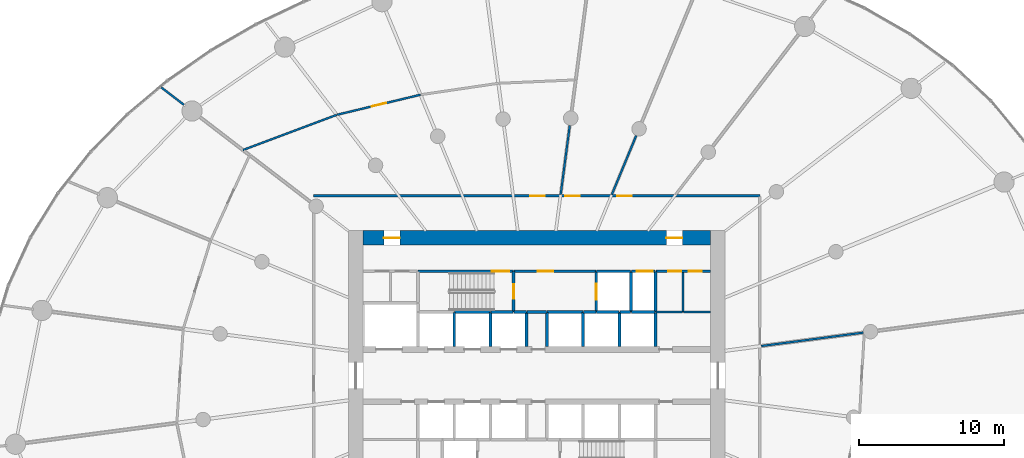
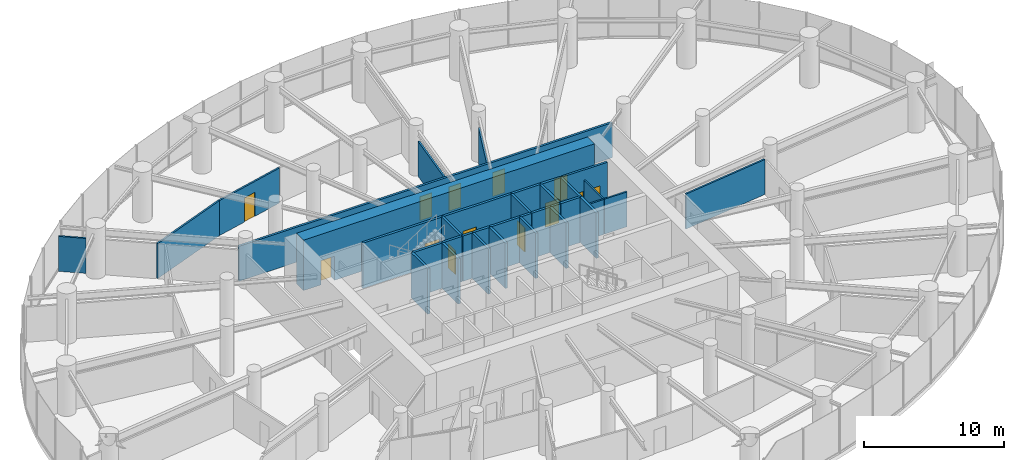
# One storey, part 15 of 19: 36 walls, 13 doors, 13 openings.
"""IFC4 building model written with IfcOpenShell, lengths in metres."""

from ifc_helpers import new_model, si_unit, direction, frame, frame_2d, origin, place, context, subcontext, project, spatial, rectangle, extrude, source, transform, mapped, material, layer, layer_set, type_object, element, fill, save


model = new_model("IFC4")

# Units and contexts
model_context = context("Model", 3, precision=1e-05, world=origin(), true_north=direction((0.0, 1.0)))
body_context = subcontext(model_context, "Body", "Model", "MODEL_VIEW")
ifc_project = project(units=[si_unit("LENGTHUNIT", "METRE"), si_unit("AREAUNIT", "SQUARE_METRE"), si_unit("VOLUMEUNIT", "CUBIC_METRE"), si_unit("PLANEANGLEUNIT", "RADIAN"), si_unit("MASSUNIT", "GRAM", prefix="KILO")], contexts=[model_context])

# Site, building, storey
site_placement = place(None, origin())
site = spatial("IfcSite", under=ifc_project, at=site_placement, CompositionType="ELEMENT")
building_placement = place(site_placement, origin())
building = spatial("IfcBuilding", under=site, at=building_placement, Name="Spindrift Exchange Tower", CompositionType="ELEMENT")
storey_placement = place(building_placement, frame((0.0, 0.0, 44.60009765625)))
storey = spatial("IfcBuildingStorey", under=building, at=storey_placement, Name="L10", CompositionType="ELEMENT", Elevation=44.60009765625)

# Wall, openings, doors
ifc_material_1 = material(Name="Concrete 80 MPa", Category="concrete")
ifc_layer_1 = layer(ifc_material_1, 1.0)
ifc_layer_set_1 = layer_set([ifc_layer_1], Name="RC Core Wall 1000 Concrete 80 MPa")
wall_type_1 = type_object("IfcWallType", Name="RC Core Wall 1000 Concrete 80 MPa", PredefinedType="SHEAR", material=ifc_layer_set_1)
wall_1_placement = place(storey_placement, frame((64.0, 57.5, 0.0), z_axis=(0.0, 0.0, 1.0), x_axis=(-1.0, 0.0, 0.0)))
wall_1 = element("IfcWall", 1, at=wall_1_placement, inside=storey, type_object=wall_type_1, Name="Core wall N L10", PredefinedType="SHEAR", context=body_context, shape_type="SweptSolid", body=[
    extrude(rectangle(XDim=24.0, YDim=1.0, at=frame_2d((12.0, 0.0))), origin(), (0.0, 0.0, 1.0), 4.39990234375),
])
opening_1_placement = place(wall_1_placement, frame((21.449951171875, 0.0, 0.0)))
opening_1 = element("IfcOpeningElement", 2, at=opening_1_placement, cuts=wall_1, Name="Opening L10-D20", PredefinedType="OPENING", context=body_context, shape_type="SweptSolid", body=[
    extrude(rectangle(XDim=1.10009765625, YDim=2.10009765625, at=frame_2d((0.550048828125, 1.050048828125))), frame((0.0, 0.510009765625, 0.0), z_axis=(0.0, -1.0, 0.0), x_axis=(1.0, 0.0, 0.0)), (0.0, 0.0, 1.0), 1.02001953125),
])
opening_2_placement = place(wall_1_placement, frame((1.949951171875, 0.0, 0.0)))
opening_2 = element("IfcOpeningElement", 3, at=opening_2_placement, cuts=wall_1, Name="Opening L10-D21", PredefinedType="OPENING", context=body_context, shape_type="SweptSolid", body=[
    extrude(rectangle(XDim=1.10009765625, YDim=2.10009765625, at=frame_2d((0.550048828125, 1.050048828125))), frame((0.0, 0.510009765625, 0.0), z_axis=(0.0, -1.0, 0.0), x_axis=(1.0, 0.0, 0.0)), (0.0, 0.0, 1.0), 1.02001953125),
])
ifc_material_2 = material(Name="Steel fire door", Category="steel")
door_type_1 = type_object("IfcDoorType", Name="DR-STAIR-1100", OperationType="NOTDEFINED", PredefinedType="DOOR", material=ifc_material_2)
shared_shape_1 = source(origin(), body_context, "Body", "SweptSolid", [
    extrude(rectangle(XDim=1.10009765625, YDim=2.10009765625, at=frame_2d((0.550048828125, 1.050048828125))), frame((0.0, 0.02490234375, 0.0), z_axis=(0.0, -1.0, 0.0), x_axis=(1.0, 0.0, 0.0)), (0.0, 0.0, 1.0), 0.050048828125),
])
door_1_placement = place(opening_1_placement, origin())
door_1 = element("IfcDoor", 4, at=door_1_placement, inside=storey, type_object=door_type_1, Name="L10 Stair door 20", OperationType="SINGLE_SWING_LEFT", OverallHeight=2.10009765625, OverallWidth=1.10009765625, PredefinedType="DOOR", context=body_context, shape_type="MappedRepresentation", body=[
    mapped(shared_shape_1, transform((0.0, 0.0, 0.0), scale=1.0)),
])
fill(opening_1, door_1)
door_2_placement = place(opening_2_placement, origin())
door_2 = element("IfcDoor", 5, at=door_2_placement, inside=storey, type_object=door_type_1, Name="L10 Stair door 21", OperationType="SINGLE_SWING_RIGHT", OverallHeight=2.10009765625, OverallWidth=1.10009765625, PredefinedType="DOOR", context=body_context, shape_type="MappedRepresentation", body=[
    mapped(shared_shape_1, transform((0.0, 0.0, 0.0), scale=1.0)),
])
fill(opening_2, door_2)

ifc_material_3 = material(Name="Fire-rated plasterboard partition", Category="gypsum")
ifc_layer_2 = layer(ifc_material_3, 0.179931640625)
ifc_layer_set_2 = layer_set([ifc_layer_2], Name="W-CORR-180")
wall_type_2 = type_object("IfcWallType", Name="W-CORR-180", PredefinedType="PARTITIONING", material=ifc_layer_set_2)
wall_2_placement = place(storey_placement, frame((63.97998046875, 55.199951171875, 0.0), z_axis=(0.0, 0.0, 1.0), x_axis=(-1.0, 0.0, 0.0)))
wall_2 = element("IfcWall", 6, at=wall_2_placement, inside=storey, type_object=wall_type_2, Name="L10 Partition wall 64", PredefinedType="PARTITIONING", context=body_context, shape_type="SweptSolid", body=[
    extrude(rectangle(XDim=3.75, YDim=0.179931640625, at=frame_2d((1.875, 0.0))), origin(), (0.0, 0.0, 1.0), 3.949951171875),
])
opening_3_placement = place(wall_2_placement, frame((2.0, 0.0, 0.0)))
opening_3 = element("IfcOpeningElement", 7, at=opening_3_placement, cuts=wall_2, Name="Opening L10-D51", PredefinedType="OPENING", context=body_context, shape_type="SweptSolid", body=[
    extrude(rectangle(XDim=0.89990234375, YDim=2.10009765625, at=frame_2d((0.449951171875, 1.050048828125))), frame((0.0, 0.099853515625, 0.0), z_axis=(0.0, -1.0, 0.0), x_axis=(1.0, 0.0, 0.0)), (0.0, 0.0, 1.0), 0.199951171875),
])
opening_4_placement = place(wall_2_placement, frame((0.60009765625, 0.0, 0.0)))
opening_4 = element("IfcOpeningElement", 8, at=opening_4_placement, cuts=wall_2, Name="Opening L10-D52", PredefinedType="OPENING", context=body_context, shape_type="SweptSolid", body=[
    extrude(rectangle(XDim=0.89990234375, YDim=2.10009765625, at=frame_2d((0.449951171875, 1.050048828125))), frame((0.0, 0.099853515625, 0.0), z_axis=(0.0, -1.0, 0.0), x_axis=(1.0, 0.0, 0.0)), (0.0, 0.0, 1.0), 0.199951171875),
])
ifc_material_4 = material(Name="Steel access door", Category="steel")
door_type_2 = type_object("IfcDoorType", Name="DR-RISER-900", OperationType="NOTDEFINED", PredefinedType="DOOR", material=ifc_material_4)
shared_shape_2 = source(origin(), body_context, "Body", "SweptSolid", [
    extrude(rectangle(XDim=0.89990234375, YDim=2.10009765625, at=frame_2d((0.449951171875, 1.050048828125))), frame((0.0, 0.02490234375, 0.0), z_axis=(0.0, -1.0, 0.0), x_axis=(1.0, 0.0, 0.0)), (0.0, 0.0, 1.0), 0.050048828125),
])
door_3_placement = place(opening_3_placement, origin())
door_3 = element("IfcDoor", 9, at=door_3_placement, inside=storey, type_object=door_type_2, Name="L10 Riser door 51", OperationType="SINGLE_SWING_RIGHT", OverallHeight=2.10009765625, OverallWidth=0.89990234375, PredefinedType="DOOR", context=body_context, shape_type="MappedRepresentation", body=[
    mapped(shared_shape_2, transform((0.0, 0.0, 0.0), scale=1.0)),
])
fill(opening_3, door_3)
door_4_placement = place(opening_4_placement, origin())
door_4 = element("IfcDoor", 10, at=door_4_placement, inside=storey, type_object=door_type_2, Name="L10 Riser door 52", OperationType="SINGLE_SWING_LEFT", OverallHeight=2.10009765625, OverallWidth=0.89990234375, PredefinedType="DOOR", context=body_context, shape_type="MappedRepresentation", body=[
    mapped(shared_shape_2, transform((0.0, 0.0, 0.0), scale=1.0)),
])
fill(opening_4, door_4)

# Walls
ifc_layer_3 = layer(ifc_material_3, 0.139892578125)
ifc_layer_set_3 = layer_set([ifc_layer_3], Name="W-PART-140")
wall_type_3 = type_object("IfcWallType", Name="W-PART-140", PredefinedType="PARTITIONING", material=ifc_layer_set_3)
wall_3_placement = place(storey_placement, frame((67.489990234375, 50.039306640625, 0.0), z_axis=(0.0, 0.0, 1.0), x_axis=(0.99144622305, 0.130515848849, 0.0)))
element("IfcWall", 11, at=wall_3_placement, inside=storey, type_object=wall_type_3, Name="L10 Partition wall 74", PredefinedType="PARTITIONING", context=body_context, shape_type="SweptSolid", body=[
    extrude(rectangle(XDim=7.1044921875, YDim=0.139892578125, at=frame_2d((3.55224609375, 0.0))), origin(), (0.0, 0.0, 1.0), 3.0498046875),
])
wall_4_placement = place(storey_placement, frame((38.18994140625, 65.99755859375, 0.0), z_axis=(0.0, 0.0, 1.0), x_axis=(-0.936297270661, -0.35120851492, 0.0)))
element("IfcWall", 12, at=wall_4_placement, inside=storey, type_object=wall_type_3, Name="L10 Partition wall 76", PredefinedType="PARTITIONING", context=body_context, shape_type="SweptSolid", body=[
    extrude(rectangle(XDim=6.918701171875, YDim=0.139892578125, at=frame_2d((3.45947265625, 0.0))), origin(), (0.0, 0.0, 1.0), 3.0498046875),
])

# Wall, opening, door
wall_5_placement = place(storey_placement, frame((38.218994140625, 66.004638671875, 0.0), z_axis=(0.0, 0.0, 1.0), x_axis=(0.972386552633, 0.233376074734, 0.0)))
wall_5 = element("IfcWall", 13, at=wall_5_placement, inside=storey, type_object=wall_type_3, Name="L10 Partition wall 86", PredefinedType="PARTITIONING", context=body_context, shape_type="SweptSolid", body=[
    extrude(rectangle(XDim=5.914794921875, YDim=0.139892578125, at=frame_2d((2.95751953125, 0.0))), origin(), (0.0, 0.0, 1.0), 3.0498046875),
])
opening_5_placement = place(wall_5_placement, frame((2.464599609375, 0.0, 0.0)))
opening_5 = element("IfcOpeningElement", 14, at=opening_5_placement, cuts=wall_5, Name="Opening L10-D39", PredefinedType="OPENING", context=body_context, shape_type="SweptSolid", body=[
    extrude(rectangle(XDim=1.0, YDim=2.10009765625, at=frame_2d((0.5, 1.050048828125))), frame((0.0, 0.079833984375, 0.0), z_axis=(0.0, -1.0, 0.0), x_axis=(1.0, 0.0, 0.0)), (0.0, 0.0, 1.0), 0.159912109375),
])
ifc_material_5 = material(Name="Timber-core fire door", Category="wood")
door_type_3 = type_object("IfcDoorType", Name="DR-ROOM-1000", OperationType="NOTDEFINED", PredefinedType="DOOR", material=ifc_material_5)
shared_shape_3 = source(origin(), body_context, "Body", "SweptSolid", [
    extrude(rectangle(XDim=1.0, YDim=2.10009765625, at=frame_2d((0.5, 1.050048828125))), frame((0.0, 0.02490234375, 0.0), z_axis=(0.0, -1.0, 0.0), x_axis=(1.0, 0.0, 0.0)), (0.0, 0.0, 1.0), 0.050048828125),
])
door_5_placement = place(opening_5_placement, origin())
door_5 = element("IfcDoor", 15, at=door_5_placement, inside=storey, type_object=door_type_3, Name="L10 Door 39", OperationType="SINGLE_SWING_RIGHT", OverallHeight=2.10009765625, OverallWidth=1.0, PredefinedType="DOOR", context=body_context, shape_type="MappedRepresentation", body=[
    mapped(shared_shape_3, transform((0.0, 0.0, 0.0), scale=1.0)),
])
fill(opening_5, door_5)

# Walls
wall_6_placement = place(storey_placement, frame((62.10009765625, 52.39990234375, 0.0), z_axis=(0.0, 0.0, 1.0), x_axis=(0.0, 1.0, 0.0)))
element("IfcWall", 16, at=wall_6_placement, inside=storey, type_object=wall_type_3, Name="L10 Partition wall 109", PredefinedType="PARTITIONING", context=body_context, shape_type="SweptSolid", body=[
    extrude(rectangle(XDim=2.710205078125, YDim=0.139892578125, at=frame_2d((1.35498046875, 0.0))), origin(), (0.0, 0.0, 1.0), 3.0498046875),
])
wall_7_placement = place(storey_placement, frame((27.640625, 66.69140625, 0.0), z_axis=(0.0, 0.0, 1.0), x_axis=(-0.793312100237, 0.608815170325, 0.0)))
element("IfcWall", 17, at=wall_7_placement, inside=storey, type_object=wall_type_3, Name="L10 Partition wall 121", PredefinedType="PARTITIONING", context=body_context, shape_type="SweptSolid", body=[
    extrude(rectangle(XDim=1.97705078125, YDim=0.139892578125, at=frame_2d((0.988525390625, 0.0))), origin(), (0.0, 0.0, 1.0), 3.0498046875),
])
wall_8_placement = place(storey_placement, frame((62.070068359375, 52.39990234375, 0.0), z_axis=(0.0, 0.0, 1.0), x_axis=(-1.0, 0.0, 0.0)))
element("IfcWall", 18, at=wall_8_placement, inside=storey, type_object=wall_type_3, Name="L10 Partition wall 123", PredefinedType="PARTITIONING", context=body_context, shape_type="SweptSolid", body=[
    extrude(rectangle(XDim=1.840087890625, YDim=0.139892578125, at=frame_2d((0.919921875, 0.0))), origin(), (0.0, 0.0, 1.0), 3.0498046875),
])
wall_9_placement = place(storey_placement, frame((63.97998046875, 52.39990234375, 0.0), z_axis=(0.0, 0.0, 1.0), x_axis=(-1.0, 0.0, 0.0)))
element("IfcWall", 19, at=wall_9_placement, inside=storey, type_object=wall_type_3, Name="L10 Partition wall 124", PredefinedType="PARTITIONING", context=body_context, shape_type="SweptSolid", body=[
    extrude(rectangle(XDim=1.85009765625, YDim=0.139892578125, at=frame_2d((0.925048828125, 0.0))), origin(), (0.0, 0.0, 1.0), 3.0498046875),
])
ifc_layer_4 = layer(ifc_material_3, 0.139892578125)
ifc_layer_set_4 = layer_set([ifc_layer_4], Name="W-PLANT-140")
wall_type_4 = type_object("IfcWallType", Name="W-PLANT-140", PredefinedType="PARTITIONING", material=ifc_layer_set_4)
wall_10_placement = place(storey_placement, frame((53.644287109375, 60.489990234375, 0.0), z_axis=(0.0, 0.0, 1.0), x_axis=(0.130523979823, 0.991445152639, 0.0)))
element("IfcWall", 20, at=wall_10_placement, inside=storey, type_object=wall_type_4, Name="L10 Partition wall 98", PredefinedType="PARTITIONING", context=body_context, shape_type="SweptSolid", body=[
    extrude(rectangle(XDim=4.818359375, YDim=0.139892578125, at=frame_2d((2.4091796875, 0.0))), origin(), (0.0, 0.0, 1.0), 3.0498046875),
])
wall_11_placement = place(storey_placement, frame((57.173583984375, 60.489990234375, 0.0), z_axis=(0.0, 0.0, 1.0), x_axis=(0.382672831764, 0.923883923353, 0.0)))
element("IfcWall", 21, at=wall_11_placement, inside=storey, type_object=wall_type_4, Name="L10 Partition wall 100", PredefinedType="PARTITIONING", context=body_context, shape_type="SweptSolid", body=[
    extrude(rectangle(XDim=4.410400390625, YDim=0.139892578125, at=frame_2d((2.205078125, 0.0))), origin(), (0.0, 0.0, 1.0), 3.0498046875),
])

# Wall, openings, doors
ifc_layer_5 = layer(ifc_material_3, 0.179931640625)
ifc_layer_set_5 = layer_set([ifc_layer_5], Name="W-PLANT-180")
wall_type_5 = type_object("IfcWallType", Name="W-PLANT-180", PredefinedType="PARTITIONING", material=ifc_layer_set_5)
wall_12_placement = place(storey_placement, frame((36.60009765625, 60.39990234375, 0.0), z_axis=(0.0, 0.0, 1.0), x_axis=(1.0, 0.0, 0.0)))
wall_12 = element("IfcWall", 22, at=wall_12_placement, inside=storey, type_object=wall_type_5, Name="L10 Partition wall 58", PredefinedType="PARTITIONING", context=body_context, shape_type="SweptSolid", body=[
    extrude(rectangle(XDim=30.7998046875, YDim=0.179931640625, at=frame_2d((15.39990234375, 0.0))), origin(), (0.0, 0.0, 1.0), 3.0498046875),
])
opening_6_placement = place(wall_12_placement, frame((20.949951171875, 0.0, 0.0)))
opening_6 = element("IfcOpeningElement", 23, at=opening_6_placement, cuts=wall_12, Name="Opening L10-D36", PredefinedType="OPENING", context=body_context, shape_type="SweptSolid", body=[
    extrude(rectangle(XDim=1.0, YDim=2.10009765625, at=frame_2d((0.5, 1.050048828125))), frame((0.0, 0.099853515625, 0.0), z_axis=(0.0, -1.0, 0.0), x_axis=(1.0, 0.0, 0.0)), (0.0, 0.0, 1.0), 0.199951171875),
])
opening_7_placement = place(wall_12_placement, frame((17.35009765625, 0.0, 0.0)))
opening_7 = element("IfcOpeningElement", 24, at=opening_7_placement, cuts=wall_12, Name="Opening L10-D37", PredefinedType="OPENING", context=body_context, shape_type="SweptSolid", body=[
    extrude(rectangle(XDim=1.0, YDim=2.10009765625, at=frame_2d((0.5, 1.050048828125))), frame((0.0, 0.099853515625, 0.0), z_axis=(0.0, -1.0, 0.0), x_axis=(1.0, 0.0, 0.0)), (0.0, 0.0, 1.0), 0.199951171875),
])
opening_8_placement = place(wall_12_placement, frame((14.949951171875, 0.0, 0.0)))
opening_8 = element("IfcOpeningElement", 25, at=opening_8_placement, cuts=wall_12, Name="Opening L10-D38", PredefinedType="OPENING", context=body_context, shape_type="SweptSolid", body=[
    extrude(rectangle(XDim=1.0, YDim=2.10009765625, at=frame_2d((0.5, 1.050048828125))), frame((0.0, 0.099853515625, 0.0), z_axis=(0.0, -1.0, 0.0), x_axis=(1.0, 0.0, 0.0)), (0.0, 0.0, 1.0), 0.199951171875),
])
door_6_placement = place(opening_6_placement, origin())
door_6 = element("IfcDoor", 26, at=door_6_placement, inside=storey, type_object=door_type_3, Name="L10 Door 36", OperationType="SINGLE_SWING_LEFT", OverallHeight=2.10009765625, OverallWidth=1.0, PredefinedType="DOOR", context=body_context, shape_type="MappedRepresentation", body=[
    mapped(shared_shape_3, transform((0.0, 0.0, 0.0), scale=1.0)),
])
fill(opening_6, door_6)
door_7_placement = place(opening_7_placement, origin())
door_7 = element("IfcDoor", 27, at=door_7_placement, inside=storey, type_object=door_type_3, Name="L10 Door 37", OperationType="SINGLE_SWING_RIGHT", OverallHeight=2.10009765625, OverallWidth=1.0, PredefinedType="DOOR", context=body_context, shape_type="MappedRepresentation", body=[
    mapped(shared_shape_3, transform((0.0, 0.0, 0.0), scale=1.0)),
])
fill(opening_7, door_7)
door_8_placement = place(opening_8_placement, origin())
door_8 = element("IfcDoor", 28, at=door_8_placement, inside=storey, type_object=door_type_3, Name="L10 Door 38", OperationType="SINGLE_SWING_LEFT", OverallHeight=2.10009765625, OverallWidth=1.0, PredefinedType="DOOR", context=body_context, shape_type="MappedRepresentation", body=[
    mapped(shared_shape_3, transform((0.0, 0.0, 0.0), scale=1.0)),
])
fill(opening_8, door_8)

# Wall, opening, door
ifc_material_6 = material(Name="Concrete 40 MPa", Category="concrete")
ifc_layer_6 = layer(ifc_material_6, 0.199951171875)
ifc_layer_set_6 = layer_set([ifc_layer_6], Name="W-SHAFT-200")
wall_type_6 = type_object("IfcWallType", Name="W-SHAFT-200", PredefinedType="SOLIDWALL", material=ifc_layer_set_6)
wall_13_placement = place(storey_placement, frame((56.10009765625, 55.169921875, 0.0), z_axis=(0.0, 0.0, 1.0), x_axis=(0.0, -1.0, 0.0)))
wall_13 = element("IfcWall", 29, at=wall_13_placement, inside=storey, type_object=wall_type_6, Name="L10 Shaft wall 12", PredefinedType="SOLIDWALL", context=body_context, shape_type="SweptSolid", body=[
    extrude(rectangle(XDim=2.77001953125, YDim=0.199951171875, at=frame_2d((1.385009765625, 0.0))), origin(), (0.0, 0.0, 1.0), 3.949951171875),
])
opening_9_placement = place(wall_13_placement, frame((0.820068359375, 0.0, 0.0)))
opening_9 = element("IfcOpeningElement", 30, at=opening_9_placement, cuts=wall_13, Name="Opening L10-D9", PredefinedType="OPENING", context=body_context, shape_type="SweptSolid", body=[
    extrude(rectangle(XDim=1.10009765625, YDim=2.10009765625, at=frame_2d((0.550048828125, 1.050048828125))), frame((0.0, 0.10986328125, 0.0), z_axis=(0.0, -1.0, 0.0), x_axis=(1.0, 0.0, 0.0)), (0.0, 0.0, 1.0), 0.219970703125),
])
ifc_material_7 = material(Name="Stainless steel landing door", Category="steel")
door_type_4 = type_object("IfcDoorType", Name="DR-LANDING-1100-SL", OperationType="DOUBLE_DOOR_SLIDING", PredefinedType="USERDEFINED", material=ifc_material_7)
shared_shape_4 = source(origin(), body_context, "Body", "SweptSolid", [
    extrude(rectangle(XDim=1.10009765625, YDim=2.10009765625, at=frame_2d((0.550048828125, 1.050048828125))), frame((0.0, 0.02490234375, 0.0), z_axis=(0.0, -1.0, 0.0), x_axis=(1.0, 0.0, 0.0)), (0.0, 0.0, 1.0), 0.050048828125),
])
door_9_placement = place(opening_9_placement, origin())
door_9 = element("IfcDoor", 31, at=door_9_placement, inside=storey, type_object=door_type_4, Name="L10 Lift landing door 9", ObjectType="LANDING DOOR", OperationType="DOUBLE_DOOR_SLIDING", OverallHeight=2.10009765625, OverallWidth=1.10009765625, PredefinedType="USERDEFINED", context=body_context, shape_type="MappedRepresentation", body=[
    mapped(shared_shape_4, transform((0.0, 0.0, 0.0), scale=1.0)),
])
fill(opening_9, door_9)

# Walls
for number, where, z_axis, x_axis, name in (
    (32, (58.5, 52.39990234375, 0.0), (0.0, 0.0, 1.0), (0.0, 1.0, 0.0), "L10 Shaft wall 13"),
    (33, (60.199951171875, 52.39990234375, 0.0), (0.0, 0.0, 1.0), (0.0, 1.0, 0.0), "L10 Shaft wall 14"),
):
    element("IfcWall", number, at=place(storey_placement, frame(where, z_axis=z_axis, x_axis=x_axis)), inside=storey, type_object=wall_type_6, Name=name, PredefinedType="SOLIDWALL", context=body_context, shape_type="SweptSolid", body=[
        extrude(rectangle(XDim=2.800048828125, YDim=0.199951171875, at=frame_2d((1.39990234375, 0.0))), origin(), (0.0, 0.0, 1.0), 3.949951171875),
    ])
wall_14_placement = place(storey_placement, frame((55.199951171875, 52.39990234375, 0.0), z_axis=(0.0, 0.0, 1.0), x_axis=(-1.0, 0.0, 0.0)))
element("IfcWall", 34, at=wall_14_placement, inside=storey, type_object=wall_type_6, Name="L10 Shaft wall 18", PredefinedType="SOLIDWALL", context=body_context, shape_type="SweptSolid", body=[
    extrude(rectangle(XDim=2.5, YDim=0.199951171875, at=frame_2d((1.25, 0.0))), origin(), (0.0, 0.0, 1.0), 3.949951171875),
])
wall_15_placement = place(storey_placement, frame((58.469970703125, 55.199951171875, 0.0), z_axis=(0.0, 0.0, 1.0), x_axis=(-1.0, 0.0, 0.0)))
element("IfcWall", 35, at=wall_15_placement, inside=storey, type_object=wall_type_6, Name="L10 Shaft wall 22", PredefinedType="SOLIDWALL", context=body_context, shape_type="SweptSolid", body=[
    extrude(rectangle(XDim=2.340087890625, YDim=0.199951171875, at=frame_2d((1.169921875, 0.0))), origin(), (0.0, 0.0, 1.0), 3.949951171875),
])
wall_16_placement = place(storey_placement, frame((51.300048828125, 50.010009765625, 0.0), z_axis=(0.0, 0.0, 1.0), x_axis=(0.0, 1.0, 0.0)))
element("IfcWall", 36, at=wall_16_placement, inside=storey, type_object=wall_type_6, Name="L10 Shaft wall 30", PredefinedType="SOLIDWALL", context=body_context, shape_type="SweptSolid", body=[
    extrude(rectangle(XDim=2.389892578125, YDim=0.199951171875, at=frame_2d((1.19482421875, 0.0))), origin(), (0.0, 0.0, 1.0), 3.949951171875),
])
for number, where, z_axis, x_axis, name in (
    (37, (52.699951171875, 52.3701171875, 0.0), (0.0, 0.0, 1.0), (0.0, -1.0, 0.0), "L10 Shaft wall 32"),
    (38, (55.199951171875, 50.010009765625, 0.0), (0.0, 0.0, 1.0), (0.0, 1.0, 0.0), "L10 Shaft wall 34"),
):
    element("IfcWall", number, at=place(storey_placement, frame(where, z_axis=z_axis, x_axis=x_axis)), inside=storey, type_object=wall_type_6, Name=name, PredefinedType="SOLIDWALL", context=body_context, shape_type="SweptSolid", body=[
        extrude(rectangle(XDim=2.360107421875, YDim=0.199951171875, at=frame_2d((1.18017578125, 0.0))), origin(), (0.0, 0.0, 1.0), 3.949951171875),
    ])
wall_17_placement = place(storey_placement, frame((57.699951171875, 50.010009765625, 0.0), z_axis=(0.0, 0.0, 1.0), x_axis=(0.0, 1.0, 0.0)))
element("IfcWall", 39, at=wall_17_placement, inside=storey, type_object=wall_type_6, Name="L10 Shaft wall 36", PredefinedType="SOLIDWALL", context=body_context, shape_type="SweptSolid", body=[
    extrude(rectangle(XDim=2.389892578125, YDim=0.199951171875, at=frame_2d((1.19482421875, 0.0))), origin(), (0.0, 0.0, 1.0), 3.949951171875),
])
wall_18_placement = place(storey_placement, frame((60.199951171875, 50.010009765625, 0.0), z_axis=(0.0, 0.0, 1.0), x_axis=(0.0, 1.0, 0.0)))
element("IfcWall", 40, at=wall_18_placement, inside=storey, type_object=wall_type_6, Name="L10 Shaft wall 38", PredefinedType="SOLIDWALL", context=body_context, shape_type="SweptSolid", body=[
    extrude(rectangle(XDim=2.360107421875, YDim=0.199951171875, at=frame_2d((1.18017578125, 0.0))), origin(), (0.0, 0.0, 1.0), 3.949951171875),
])
wall_19_placement = place(storey_placement, frame((60.169921875, 52.39990234375, 0.0), z_axis=(0.0, 0.0, 1.0), x_axis=(-1.0, 0.0, 0.0)))
element("IfcWall", 41, at=wall_19_placement, inside=storey, type_object=wall_type_6, Name="L10 Shaft wall 42", PredefinedType="SOLIDWALL", context=body_context, shape_type="SweptSolid", body=[
    extrude(rectangle(XDim=1.639892578125, YDim=0.199951171875, at=frame_2d((0.81982421875, 0.0))), origin(), (0.0, 0.0, 1.0), 3.949951171875),
])

# Wall, opening, door
wall_20_placement = place(storey_placement, frame((60.169921875, 55.199951171875, 0.0), z_axis=(0.0, 0.0, 1.0), x_axis=(-1.0, 0.0, 0.0)))
wall_20 = element("IfcWall", 42, at=wall_20_placement, inside=storey, type_object=wall_type_6, Name="L10 Shaft wall 43", PredefinedType="SOLIDWALL", context=body_context, shape_type="SweptSolid", body=[
    extrude(rectangle(XDim=1.639892578125, YDim=0.199951171875, at=frame_2d((0.81982421875, 0.0))), origin(), (0.0, 0.0, 1.0), 3.949951171875),
])
opening_10_placement = place(wall_20_placement, frame((0.169921875, 0.0, 0.0)))
opening_10 = element("IfcOpeningElement", 43, at=opening_10_placement, cuts=wall_20, Name="Opening L10-D11", PredefinedType="OPENING", context=body_context, shape_type="SweptSolid", body=[
    extrude(rectangle(XDim=1.10009765625, YDim=2.10009765625, at=frame_2d((0.550048828125, 1.050048828125))), frame((0.0, 0.10986328125, 0.0), z_axis=(0.0, -1.0, 0.0), x_axis=(1.0, 0.0, 0.0)), (0.0, 0.0, 1.0), 0.219970703125),
])
door_10_placement = place(opening_10_placement, origin())
door_10 = element("IfcDoor", 44, at=door_10_placement, inside=storey, type_object=door_type_4, Name="L10 Lift landing door 11", ObjectType="LANDING DOOR", OperationType="DOUBLE_DOOR_SLIDING", OverallHeight=2.10009765625, OverallWidth=1.10009765625, PredefinedType="USERDEFINED", context=body_context, shape_type="MappedRepresentation", body=[
    mapped(shared_shape_4, transform((0.0, 0.0, 0.0), scale=1.0)),
])
fill(opening_10, door_10)

# Walls
wall_21_placement = place(storey_placement, frame((57.669921875, 52.39990234375, 0.0), z_axis=(0.0, 0.0, 1.0), x_axis=(-1.0, 0.0, 0.0)))
element("IfcWall", 45, at=wall_21_placement, inside=storey, type_object=wall_type_6, Name="L10 Shaft wall 47", PredefinedType="SOLIDWALL", context=body_context, shape_type="SweptSolid", body=[
    extrude(rectangle(XDim=1.5400390625, YDim=0.199951171875, at=frame_2d((0.77001953125, 0.0))), origin(), (0.0, 0.0, 1.0), 3.949951171875),
])
wall_22_placement = place(storey_placement, frame((51.330078125, 52.39990234375, 0.0), z_axis=(0.0, 0.0, 1.0), x_axis=(1.0, 0.0, 0.0)))
element("IfcWall", 46, at=wall_22_placement, inside=storey, type_object=wall_type_6, Name="L10 Shaft wall 49", PredefinedType="SOLIDWALL", context=body_context, shape_type="SweptSolid", body=[
    extrude(rectangle(XDim=1.33984375, YDim=0.199951171875, at=frame_2d((0.669921875, 0.0))), origin(), (0.0, 0.0, 1.0), 3.949951171875),
])
wall_23_placement = place(storey_placement, frame((56.070068359375, 52.39990234375, 0.0), z_axis=(0.0, 0.0, 1.0), x_axis=(-1.0, 0.0, 0.0)))
element("IfcWall", 47, at=wall_23_placement, inside=storey, type_object=wall_type_6, Name="L10 Shaft wall 53", PredefinedType="SOLIDWALL", context=body_context, shape_type="SweptSolid", body=[
    extrude(rectangle(XDim=0.840087890625, YDim=0.199951171875, at=frame_2d((0.419921875, 0.0))), origin(), (0.0, 0.0, 1.0), 3.949951171875),
])
wall_24_placement = place(storey_placement, frame((58.469970703125, 52.39990234375, 0.0), z_axis=(0.0, 0.0, 1.0), x_axis=(-1.0, 0.0, 0.0)))
element("IfcWall", 48, at=wall_24_placement, inside=storey, type_object=wall_type_6, Name="L10 Shaft wall 55", PredefinedType="SOLIDWALL", context=body_context, shape_type="SweptSolid", body=[
    extrude(rectangle(XDim=0.739990234375, YDim=0.199951171875, at=frame_2d((0.3701171875, 0.0))), origin(), (0.0, 0.0, 1.0), 3.949951171875),
])

# Wall, opening, door
ifc_layer_7 = layer(ifc_material_6, 0.199951171875)
ifc_layer_set_7 = layer_set([ifc_layer_7], Name="W-SHAFT-200-LB")
wall_type_7 = type_object("IfcWallType", Name="W-SHAFT-200-LB", PredefinedType="SOLIDWALL", material=ifc_layer_set_7)
wall_25_placement = place(storey_placement, frame((50.39990234375, 55.199951171875, 0.0), z_axis=(0.0, 0.0, 1.0), x_axis=(-1.0, 0.0, 0.0)))
wall_25 = element("IfcWall", 49, at=wall_25_placement, inside=storey, type_object=wall_type_7, Name="L10 Shaft wall 1", PredefinedType="SOLIDWALL", context=body_context, shape_type="SweptSolid", body=[
    extrude(rectangle(XDim=6.599853515625, YDim=0.199951171875, at=frame_2d((3.2998046875, 0.0))), origin(), (0.0, 0.0, 1.0), 3.949951171875),
])
opening_11_placement = place(wall_25_placement, frame((0.300048828125, 0.0, 0.0)))
opening_11 = element("IfcOpeningElement", 50, at=opening_11_placement, cuts=wall_25, Name="Opening L10-D13", PredefinedType="OPENING", context=body_context, shape_type="SweptSolid", body=[
    extrude(rectangle(XDim=1.199951171875, YDim=2.10009765625, at=frame_2d((0.60009765625, 1.050048828125))), frame((0.0, 0.10986328125, 0.0), z_axis=(0.0, -1.0, 0.0), x_axis=(1.0, 0.0, 0.0)), (0.0, 0.0, 1.0), 0.219970703125),
])
door_type_5 = type_object("IfcDoorType", Name="DR-STAIR-1200", OperationType="NOTDEFINED", PredefinedType="DOOR", material=ifc_material_2)
shared_shape_5 = source(origin(), body_context, "Body", "SweptSolid", [
    extrude(rectangle(XDim=1.199951171875, YDim=2.10009765625, at=frame_2d((0.60009765625, 1.050048828125))), frame((0.0, 0.02490234375, 0.0), z_axis=(0.0, -1.0, 0.0), x_axis=(1.0, 0.0, 0.0)), (0.0, 0.0, 1.0), 0.050048828125),
])
door_11_placement = place(opening_11_placement, origin())
door_11 = element("IfcDoor", 51, at=door_11_placement, inside=storey, type_object=door_type_5, Name="L10 Stair door 13", OperationType="SINGLE_SWING_RIGHT", OverallHeight=2.10009765625, OverallWidth=1.199951171875, PredefinedType="DOOR", context=body_context, shape_type="MappedRepresentation", body=[
    mapped(shared_shape_5, transform((0.0, 0.0, 0.0), scale=1.0)),
])
fill(opening_11, door_11)

wall_26_placement = place(storey_placement, frame((56.10009765625, 55.199951171875, 0.0), z_axis=(0.0, 0.0, 1.0), x_axis=(-1.0, 0.0, 0.0)))
wall_26 = element("IfcWall", 52, at=wall_26_placement, inside=storey, type_object=wall_type_7, Name="L10 Shaft wall 4", PredefinedType="SOLIDWALL", context=body_context, shape_type="SweptSolid", body=[
    extrude(rectangle(XDim=5.670166015625, YDim=0.199951171875, at=frame_2d((2.8349609375, 0.0))), origin(), (0.0, 0.0, 1.0), 3.949951171875),
])
opening_12_placement = place(wall_26_placement, frame((2.949951171875, 0.0, 0.0)))
opening_12 = element("IfcOpeningElement", 53, at=opening_12_placement, cuts=wall_26, Name="Opening L10-D15", PredefinedType="OPENING", context=body_context, shape_type="SweptSolid", body=[
    extrude(rectangle(XDim=1.10009765625, YDim=2.10009765625, at=frame_2d((0.550048828125, 1.050048828125))), frame((0.0, 0.10986328125, 0.0), z_axis=(0.0, -1.0, 0.0), x_axis=(1.0, 0.0, 0.0)), (0.0, 0.0, 1.0), 0.219970703125),
])
door_type_6 = type_object("IfcDoorType", Name="DR-LOBBY-1100", OperationType="NOTDEFINED", PredefinedType="DOOR", material=ifc_material_5)
shared_shape_6 = source(origin(), body_context, "Body", "SweptSolid", [
    extrude(rectangle(XDim=1.10009765625, YDim=2.10009765625, at=frame_2d((0.550048828125, 1.050048828125))), frame((0.0, 0.02490234375, 0.0), z_axis=(0.0, -1.0, 0.0), x_axis=(1.0, 0.0, 0.0)), (0.0, 0.0, 1.0), 0.050048828125),
])
door_12_placement = place(opening_12_placement, origin())
door_12 = element("IfcDoor", 54, at=door_12_placement, inside=storey, type_object=door_type_6, Name="L10 Lobby door 15", OperationType="SINGLE_SWING_RIGHT", OverallHeight=2.10009765625, OverallWidth=1.10009765625, PredefinedType="DOOR", context=body_context, shape_type="MappedRepresentation", body=[
    mapped(shared_shape_6, transform((0.0, 0.0, 0.0), scale=1.0)),
])
fill(opening_12, door_12)

wall_27_placement = place(storey_placement, frame((50.39990234375, 52.39990234375, 0.0), z_axis=(0.0, 0.0, 1.0), x_axis=(0.0, 1.0, 0.0)))
wall_27 = element("IfcWall", 55, at=wall_27_placement, inside=storey, type_object=wall_type_7, Name="L10 Shaft wall 9", PredefinedType="SOLIDWALL", context=body_context, shape_type="SweptSolid", body=[
    extrude(rectangle(XDim=2.77001953125, YDim=0.199951171875, at=frame_2d((1.385009765625, 0.0))), origin(), (0.0, 0.0, 1.0), 3.949951171875),
])
opening_13_placement = place(wall_27_placement, frame((0.89990234375, 0.0, 0.0)))
opening_13 = element("IfcOpeningElement", 56, at=opening_13_placement, cuts=wall_27, Name="Opening L10-D14", PredefinedType="OPENING", context=body_context, shape_type="SweptSolid", body=[
    extrude(rectangle(XDim=1.0, YDim=2.10009765625, at=frame_2d((0.5, 1.050048828125))), frame((0.0, 0.10986328125, 0.0), z_axis=(0.0, -1.0, 0.0), x_axis=(1.0, 0.0, 0.0)), (0.0, 0.0, 1.0), 0.219970703125),
])
door_type_7 = type_object("IfcDoorType", Name="DR-STAIR-1000", OperationType="NOTDEFINED", PredefinedType="DOOR", material=ifc_material_2)
shared_shape_7 = source(origin(), body_context, "Body", "SweptSolid", [
    extrude(rectangle(XDim=1.0, YDim=2.10009765625, at=frame_2d((0.5, 1.050048828125))), frame((0.0, 0.02490234375, 0.0), z_axis=(0.0, -1.0, 0.0), x_axis=(1.0, 0.0, 0.0)), (0.0, 0.0, 1.0), 0.050048828125),
])
door_13_placement = place(opening_13_placement, origin())
door_13 = element("IfcDoor", 57, at=door_13_placement, inside=storey, type_object=door_type_7, Name="L10 Stair door 14", OperationType="SINGLE_SWING_LEFT", OverallHeight=2.10009765625, OverallWidth=1.0, PredefinedType="DOOR", context=body_context, shape_type="MappedRepresentation", body=[
    mapped(shared_shape_7, transform((0.0, 0.0, 0.0), scale=1.0)),
])
fill(opening_13, door_13)

# Walls
wall_28_placement = place(storey_placement, frame((48.800048828125, 52.39990234375, 0.0), z_axis=(0.0, 0.0, 1.0), x_axis=(-1.0, 0.0, 0.0)))
element("IfcWall", 58, at=wall_28_placement, inside=storey, type_object=wall_type_7, Name="L10 Shaft wall 16", PredefinedType="SOLIDWALL", context=body_context, shape_type="SweptSolid", body=[
    extrude(rectangle(XDim=2.469970703125, YDim=0.199951171875, at=frame_2d((1.23486328125, 0.0))), origin(), (0.0, 0.0, 1.0), 3.949951171875),
])
for number, where, z_axis, x_axis, name in (
    (59, (46.300048828125, 50.010009765625, 0.0), (0.0, 0.0, 1.0), (0.0, 1.0, 0.0), "L10 Shaft wall 26"),
    (60, (48.800048828125, 50.010009765625, 0.0), (0.0, 0.0, 1.0), (0.0, 1.0, 0.0), "L10 Shaft wall 28"),
):
    element("IfcWall", number, at=place(storey_placement, frame(where, z_axis=z_axis, x_axis=x_axis)), inside=storey, type_object=wall_type_7, Name=name, PredefinedType="SOLIDWALL", context=body_context, shape_type="SweptSolid", body=[
        extrude(rectangle(XDim=2.360107421875, YDim=0.199951171875, at=frame_2d((1.18017578125, 0.0))), origin(), (0.0, 0.0, 1.0), 3.949951171875),
    ])
wall_29_placement = place(storey_placement, frame((50.3701171875, 52.39990234375, 0.0), z_axis=(0.0, 0.0, 1.0), x_axis=(-1.0, 0.0, 0.0)))
element("IfcWall", 61, at=wall_29_placement, inside=storey, type_object=wall_type_7, Name="L10 Shaft wall 45", PredefinedType="SOLIDWALL", context=body_context, shape_type="SweptSolid", body=[
    extrude(rectangle(XDim=1.5400390625, YDim=0.199951171875, at=frame_2d((0.77001953125, 0.0))), origin(), (0.0, 0.0, 1.0), 3.949951171875),
])
wall_30_placement = place(storey_placement, frame((51.27001953125, 52.39990234375, 0.0), z_axis=(0.0, 0.0, 1.0), x_axis=(-1.0, 0.0, 0.0)))
element("IfcWall", 62, at=wall_30_placement, inside=storey, type_object=wall_type_7, Name="L10 Shaft wall 51", PredefinedType="SOLIDWALL", context=body_context, shape_type="SweptSolid", body=[
    extrude(rectangle(XDim=0.840087890625, YDim=0.199951171875, at=frame_2d((0.419921875, 0.0))), origin(), (0.0, 0.0, 1.0), 3.949951171875),
])

save(model, "model.ifc")
